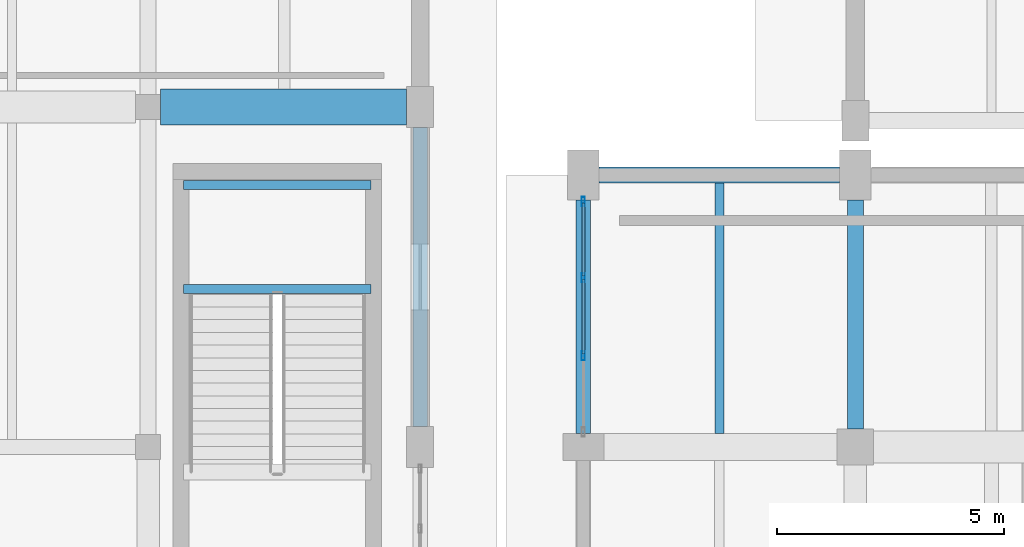
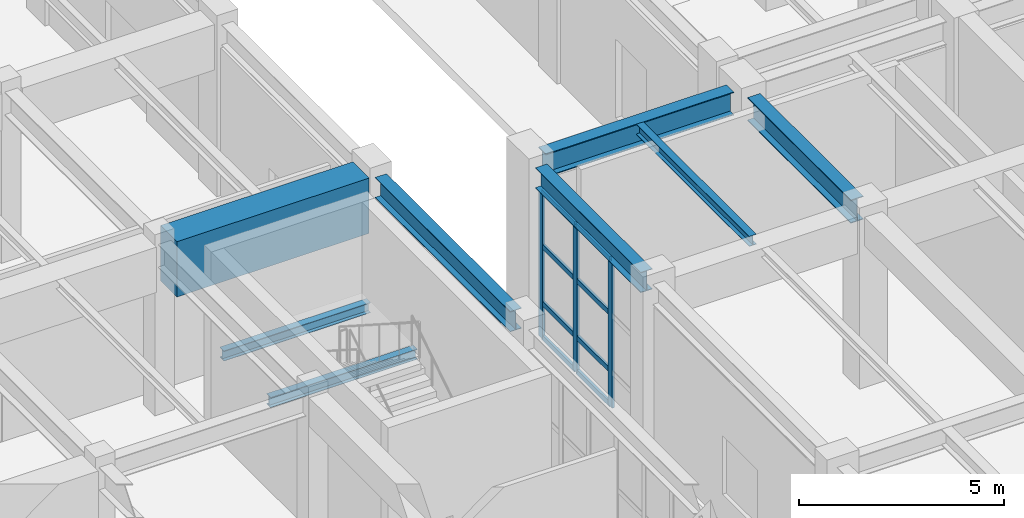
# One storey, part 36 of 91: 11 members, 8 beams, 1 element without a shape of its own.
"""IFC4 building model written with IfcOpenShell, lengths in metres."""

import ifcopenshell
import ifcopenshell.guid

model = None  # the IFC model being written
_history = None  # IfcOwnerHistory: only IFC2X3 demands one
_inside = {}  # id of a spatial element -> (the spatial element, [elements in it])
_under = {}  # id of a project, library or spatial element -> (it, [spatial elements below it])
_declared = {}  # id of a project -> (the project, [libraries it declares])
_typed = {}  # id of a type object -> (the type object, [elements of that type])
_made_of = {}  # id of a material, layer set ... -> (it, [elements and type objects made of it])


def new_model(schema):
    """Start an empty IFC model of exactly this schema.

    Asked for "IFC4X3", IfcOpenShell would pick the latest addendum, in which some entities
    have other attributes; the version numbers below select the first issue.
    IFC2X3 requires an IfcOwnerHistory on every rooted entity: one is made here for all.
    """
    global model, _history
    if schema == "IFC4X3":
        model = ifcopenshell.file(schema_version=(4, 3, 0, 0))
    else:
        model = ifcopenshell.file(schema=schema)
    _inside.clear()
    _under.clear()
    _declared.clear()
    _typed.clear()
    _made_of.clear()
    _history = None
    if model.schema == "IFC2X3":
        org = make("IfcOrganization", Name="unknown")
        user = make(
            "IfcPersonAndOrganization",
            ThePerson=make("IfcPerson", FamilyName="unknown"),
            TheOrganization=org,
        )
        app = make(
            "IfcApplication",
            ApplicationDeveloper=org,
            Version="unknown",
            ApplicationFullName="unknown",
            ApplicationIdentifier="unknown",
        )
        _history = make(
            "IfcOwnerHistory",
            OwningUser=user,
            OwningApplication=app,
            ChangeAction="ADDED",
            CreationDate=0,
        )
    return model


def make(cls, **values):
    """One entity of the class cls with the attributes given. An attribute that is None is left unset."""
    return model.create_entity(
        cls, **{name: value for name, value in values.items() if value is not None}
    )


def rooted(cls, **values):
    """An entity with a GlobalId (a new one), such as an element, a storey or a relation."""
    return make(cls, GlobalId=ifcopenshell.guid.new(), OwnerHistory=_history, **values)


def si_unit(unit_type, name, prefix=None):
    """IfcSIUnit, for example si_unit("LENGTHUNIT", "METRE", prefix="MILLI")."""
    return make("IfcSIUnit", UnitType=unit_type, Prefix=prefix, Name=name)


def assignment(units):
    """IfcUnitAssignment: the units of a project."""
    return None if units is None else make("IfcUnitAssignment", Units=units)


def point(xyz):
    """IfcCartesianPoint."""
    return None if xyz is None else make("IfcCartesianPoint", Coordinates=xyz)


def direction(xyz):
    """IfcDirection."""
    return None if xyz is None else make("IfcDirection", DirectionRatios=xyz)


def frame(location, z_axis=None, x_axis=None):
    """IfcAxis2Placement3D, a coordinate frame: its origin and axes. An axis left out is left unset."""
    return make(
        "IfcAxis2Placement3D",
        Location=point(location),
        Axis=direction(z_axis),
        RefDirection=direction(x_axis),
    )


def frame_2d(location, x_axis=None):
    """IfcAxis2Placement2D, a coordinate frame in the plane: its origin and x axis."""
    return make(
        "IfcAxis2Placement2D", Location=point(location), RefDirection=direction(x_axis)
    )


def origin():
    """The frame at (0, 0, 0) with its axes left unset."""
    return frame((0.0, 0.0, 0.0))


def origin_2d():
    """The frame at (0, 0) in the plane with its x axis left unset."""
    return frame_2d((0.0, 0.0))


def place(relative_to, where):
    """IfcLocalPlacement: puts the frame where relative to a parent placement (None: the world)."""
    return make(
        "IfcLocalPlacement", PlacementRelTo=relative_to, RelativePlacement=where
    )


def context(
    kind, dimensions, precision=None, world=None, true_north=None, identifier=None
):
    """IfcGeometricRepresentationContext, for example the 3D "Model" context."""
    return make(
        "IfcGeometricRepresentationContext",
        ContextIdentifier=identifier,
        ContextType=kind,
        CoordinateSpaceDimension=dimensions,
        Precision=precision,
        WorldCoordinateSystem=world,
        TrueNorth=true_north,
    )


def subcontext(parent, identifier, kind, view, scale=None):
    """IfcGeometricRepresentationSubContext, for example "Body" below "Model"."""
    return make(
        "IfcGeometricRepresentationSubContext",
        ContextIdentifier=identifier,
        ContextType=kind,
        ParentContext=parent,
        TargetScale=scale,
        TargetView=view,
    )


def project(units=None, contexts=None):
    """IfcProject with its units and contexts."""
    return rooted(
        "IfcProject",
        Name="project",
        RepresentationContexts=contexts,
        UnitsInContext=assignment(units),
    )


def spatial(cls, under=None, at=None, **own):
    """A site, building, storey or space (cls), placed at a placement, below another one or the project."""
    s = rooted(cls, ObjectPlacement=at, **own)
    if under is not None:
        _under.setdefault(under.id(), (under, []))[1].append(s)
    return s


def profile(cls, at=None, kind="AREA", **sizes):
    """A parametric profile (cls). Its sizes go by their IFC names, for example OverallWidth=200.0."""
    return make(cls, ProfileType=kind, Position=at, **sizes)


def rectangle(**sizes):
    """IfcRectangleProfileDef."""
    return profile("IfcRectangleProfileDef", **sizes)


def hollow_rectangle(**sizes):
    """IfcRectangleHollowProfileDef."""
    return profile("IfcRectangleHollowProfileDef", **sizes)


def i_section(**sizes):
    """IfcIShapeProfileDef."""
    return profile("IfcIShapeProfileDef", **sizes)


def extrude(swept, where, along, depth):
    """IfcExtrudedAreaSolid: the profile swept, set in the frame where, extruded along a direction by depth."""
    return make(
        "IfcExtrudedAreaSolid",
        SweptArea=swept,
        Position=where,
        ExtrudedDirection=direction(along),
        Depth=depth,
    )


def shape(context_of_items, identifier, shape_type, items):
    """IfcShapeRepresentation: the items that make up one representation, for example the "Body"."""
    return make(
        "IfcShapeRepresentation",
        ContextOfItems=context_of_items,
        RepresentationIdentifier=identifier,
        RepresentationType=shape_type,
        Items=items,
    )


def material(Name=None, Category=None):
    """IfcMaterial."""
    return make("IfcMaterial", Name=Name, Category=Category)


def layer(
    of_material, thickness, ventilated=None, Name=None, Category=None, Priority=None
):
    """IfcMaterialLayer: one layer of a wall or slab, of a material (None: an air gap)."""
    return make(
        "IfcMaterialLayer",
        Material=of_material,
        LayerThickness=thickness,
        IsVentilated=ventilated,
        Name=Name,
        Category=Category,
        Priority=Priority,
    )


def layer_set(layers, Name=None):
    """IfcMaterialLayerSet."""
    return make("IfcMaterialLayerSet", MaterialLayers=layers, LayerSetName=Name)


def material_profile(
    of_material, cross_section, Name=None, Category=None, Priority=None
):
    """IfcMaterialProfile: a cross section and its material."""
    return make(
        "IfcMaterialProfile",
        Name=Name,
        Material=of_material,
        Profile=cross_section,
        Priority=Priority,
        Category=Category,
    )


def profile_set(profiles, Name=None, composite=None):
    """IfcMaterialProfileSet."""
    return make(
        "IfcMaterialProfileSet",
        Name=Name,
        MaterialProfiles=profiles,
        CompositeProfile=composite,
    )


def made_of(thing, what):
    """Note that an element or type object is made of a material, layer set ...; save() writes the relation."""
    if what is not None:
        _made_of.setdefault(what.id(), (what, []))[1].append(thing)
    return thing


def type_object(cls, material=None, **own):
    """A type object (cls), such as IfcWallType, which elements share."""
    return made_of(rooted(cls, **own), material)


def element(
    cls,
    number,
    at=None,
    inside=None,
    cuts=None,
    type_object=None,
    material=None,
    context=None,
    identifier="Body",
    shape_type=None,
    held_by="IfcProductDefinitionShape",
    body=None,
    shapes=None,
    **own,
):
    """One element of the class cls, such as IfcWall. Its Tag is "e" and its number.

    at: its placement. inside: the storey or other place that contains it. cuts: it is an
    opening in that element (IfcRelVoidsElement). A single representation is given by context,
    identifier, shape_type and body (its items); several are given by shapes. held_by: the class
    of the entity that holds the representations. save() writes the other relations.
    """
    e = rooted(cls, Tag="e%d" % number, ObjectPlacement=at, **own)
    if body is not None:
        shapes = [shape(context, identifier, shape_type, body)]
    if shapes is not None:
        e.Representation = make(held_by, Representations=shapes)
    if inside is not None:
        _inside.setdefault(inside.id(), (inside, []))[1].append(e)
    if cuts is not None:
        rooted(
            "IfcRelVoidsElement", RelatingBuildingElement=cuts, RelatedOpeningElement=e
        )
    if type_object is not None:
        _typed.setdefault(type_object.id(), (type_object, []))[1].append(e)
    return made_of(e, material)


def aggregate(whole, parts):
    """IfcRelAggregates: a whole, such as a stair, and the parts it consists of."""
    return rooted("IfcRelAggregates", RelatingObject=whole, RelatedObjects=parts)


def save(model, path):
    """Write the relations noted so far, then the file.

    IfcRelAggregates (storeys below a building ...), IfcRelContainedInSpatialStructure (elements
    in a storey), IfcRelDefinesByType, IfcRelAssociatesMaterial and IfcRelDeclares: one each for
    every whole, place, type object, material and project.
    """
    for whole, parts in _under.values():
        aggregate(whole, parts)
    for where, things in _inside.values():
        rooted(
            "IfcRelContainedInSpatialStructure",
            RelatedElements=things,
            RelatingStructure=where,
        )
    for kind, things in _typed.values():
        rooted("IfcRelDefinesByType", RelatedObjects=things, RelatingType=kind)
    for what, things in _made_of.values():
        rooted("IfcRelAssociatesMaterial", RelatedObjects=things, RelatingMaterial=what)
    for by, libraries in _declared.values():
        rooted("IfcRelDeclares", RelatingContext=by, RelatedDefinitions=libraries)
    model.write(path)


model = new_model("IFC4")

# Units and contexts
model_context = context("Model", 3, precision=1e-05, world=origin(), true_north=direction((0.0, 1.0)))
body_context = subcontext(model_context, "Body", "Model", "MODEL_VIEW")
ifc_project = project(units=[si_unit("LENGTHUNIT", "METRE"), si_unit("AREAUNIT", "SQUARE_METRE"), si_unit("VOLUMEUNIT", "CUBIC_METRE"), si_unit("PLANEANGLEUNIT", "RADIAN"), si_unit("MASSUNIT", "GRAM", prefix="KILO")], contexts=[model_context])

# Site, building, storey
site_placement = place(None, origin())
site = spatial("IfcSite", under=ifc_project, at=site_placement, CompositionType="ELEMENT")
building_placement = place(site_placement, origin())
building = spatial("IfcBuilding", under=site, at=building_placement, Name="Vaelkrest Opera House", CompositionType="ELEMENT")
storey_placement = place(building_placement, origin())
storey = spatial("IfcBuildingStorey", under=building, at=storey_placement, Name="L00", CompositionType="ELEMENT", Elevation=0.0)

# Beams
ifc_material_1 = material(Name="Concrete C50/60", Category="concrete")
ifc_material_profile_1 = material_profile(ifc_material_1, rectangle(XDim=0.800048828125, YDim=1.64990234375, at=origin_2d()), Name="RCB800X1650")
ifc_profile_set_1 = profile_set([ifc_material_profile_1], Name="Concrete C50/60")
beam_type_1 = type_object("IfcBeamType", Name="B07", PredefinedType="BEAM", material=ifc_profile_set_1)
beam_1_placement = place(storey_placement, frame((-39.324951171875, 17.699951171875, 4.2548828125), z_axis=(1.0, 0.0, 0.0), x_axis=(0.0, 1.0, 0.0)))
element("IfcBeam", 1, at=beam_1_placement, inside=storey, type_object=beam_type_1, Name="Beam BM-V3-L00-1408", PredefinedType="BEAM", context=body_context, shape_type="SweptSolid", body=[
    extrude(rectangle(XDim=0.800048828125, YDim=1.64990234375, at=origin_2d()), origin(), (0.0, 0.0, 1.0), 5.425048828125),
])
ifc_material_2 = material(Name="Steel A992 Gr50", Category="steel")
ifc_material_profile_2 = material_profile(ifc_material_2, i_section(OverallWidth=0.35498046875, OverallDepth=0.695068359375, WebThickness=0.015380859375, FlangeThickness=0.02490234375, at=origin_2d()), Name="W27X146")
ifc_profile_set_2 = profile_set([ifc_material_profile_2], Name="Steel A992 Gr50")
beam_type_2 = type_object("IfcBeamType", Name="B10", PredefinedType="BEAM", material=ifc_profile_set_2)
beam_2_placement = place(storey_placement, frame((-24.0, 10.60009765625, 4.732421875), z_axis=(0.0, 1.0, 0.0), x_axis=(-1.0, 0.0, 0.0)))
element("IfcBeam", 2, at=beam_2_placement, inside=storey, type_object=beam_type_2, Name="Beam BM-V1-L00-0153", PredefinedType="BEAM", context=body_context, shape_type="SweptSolid", body=[
    extrude(i_section(OverallWidth=0.35498046875, OverallDepth=0.695068359375, WebThickness=0.015380859375, FlangeThickness=0.02490234375, at=origin_2d()), origin(), (0.0, 0.0, 1.0), 5.0498046875),
])

# Curtain wall, members
ifc_material_3 = material(Name="Dark bronze anodized aluminium", Category="aluminium")
ifc_layer = layer(ifc_material_3, 0.18994140625)
ifc_layer_set = layer_set([ifc_layer], Name="Dark bronze anodized aluminium")
curtain_wall_type = type_object("IfcCurtainWallType", Name="CW02", PredefinedType="NOTDEFINED", material=ifc_layer_set)
curtain_wall_placement = place(storey_placement, origin())
curtain_wall = element("IfcCurtainWall", 3, at=curtain_wall_placement, inside=storey, type_object=curtain_wall_type, Name="Curtain wall CW-L00-016", PredefinedType="NOTDEFINED")
ifc_material_profile_3 = material_profile(ifc_material_3, hollow_rectangle(XDim=0.070068359375, YDim=0.199951171875, WallThickness=0.004150390625, at=origin_2d()), Name="CWM70X200")
ifc_profile_set_3 = profile_set([ifc_material_profile_3], Name="Dark bronze anodized aluminium")
member_type_1 = type_object("IfcMemberType", Name="CWM02", PredefinedType="MULLION", material=ifc_profile_set_3)
member_1_placement = place(storey_placement, frame((-30.0, 12.216064453125, 0.0), z_axis=(0.0, 0.0, 1.0), x_axis=(-1.0, 0.0, 0.0)))
member_1 = element("IfcMember", 4, at=member_1_placement, type_object=member_type_1, Name="CW02 mullion 2", PredefinedType="MULLION", context=body_context, shape_type="SweptSolid", body=[
    extrude(hollow_rectangle(XDim=0.070068359375, YDim=0.199951171875, WallThickness=0.004150390625, at=origin_2d()), origin(), (0.0, 0.0, 1.0), 4.404052734375),
])
member_2_placement = place(storey_placement, frame((-30.0, 13.93408203125, 0.0), z_axis=(0.0, 0.0, 1.0), x_axis=(-1.0, 0.0, 0.0)))
member_2 = element("IfcMember", 5, at=member_2_placement, type_object=member_type_1, Name="CW02 mullion 3", PredefinedType="MULLION", context=body_context, shape_type="SweptSolid", body=[
    extrude(hollow_rectangle(XDim=0.070068359375, YDim=0.199951171875, WallThickness=0.004150390625, at=origin_2d()), origin(), (0.0, 0.0, 1.0), 4.404052734375),
])
member_3_placement = place(storey_placement, frame((-30.0, 15.616943359375, 0.0), z_axis=(0.0, 0.0, 1.0), x_axis=(-1.0, 0.0, 0.0)))
member_3 = element("IfcMember", 6, at=member_3_placement, type_object=member_type_1, Name="CW02 mullion 4", PredefinedType="MULLION", context=body_context, shape_type="SweptSolid", body=[
    extrude(hollow_rectangle(XDim=0.070068359375, YDim=0.199951171875, WallThickness=0.004150390625, at=origin_2d()), origin(), (0.0, 0.0, 1.0), 4.404052734375),
])
ifc_material_profile_4 = material_profile(ifc_material_3, hollow_rectangle(XDim=0.070068359375, YDim=0.14990234375, WallThickness=0.004150390625, at=origin_2d()), Name="CWT70X150")
ifc_profile_set_4 = profile_set([ifc_material_profile_4], Name="Dark bronze anodized aluminium")
member_type_2 = type_object("IfcMemberType", Name="CWT02", PredefinedType="USERDEFINED", material=ifc_profile_set_4)
member_4_placement = place(storey_placement, frame((-30.0, 12.2509765625, 0.034912109375), z_axis=(0.0, 1.0, 0.0), x_axis=(-1.0, 0.0, 0.0)))
member_4 = element("IfcMember", 7, at=member_4_placement, type_object=member_type_2, Name="CW02 transom 2.1", ObjectType="TRANSOM", PredefinedType="USERDEFINED", context=body_context, shape_type="SweptSolid", body=[
    extrude(hollow_rectangle(XDim=0.070068359375, YDim=0.14990234375, WallThickness=0.004150390625, at=origin_2d()), origin(), (0.0, 0.0, 1.0), 1.64794921875),
])
member_5_placement = place(storey_placement, frame((-30.0, 12.2509765625, 1.050048828125), z_axis=(0.0, 1.0, 0.0), x_axis=(-1.0, 0.0, 0.0)))
member_5 = element("IfcMember", 8, at=member_5_placement, type_object=member_type_2, Name="CW02 transom 2.2", ObjectType="TRANSOM", PredefinedType="USERDEFINED", context=body_context, shape_type="SweptSolid", body=[
    extrude(hollow_rectangle(XDim=0.070068359375, YDim=0.14990234375, WallThickness=0.004150390625, at=origin_2d()), origin(), (0.0, 0.0, 1.0), 1.64794921875),
])
member_6_placement = place(storey_placement, frame((-30.0, 12.2509765625, 2.75), z_axis=(0.0, 1.0, 0.0), x_axis=(-1.0, 0.0, 0.0)))
member_6 = element("IfcMember", 9, at=member_6_placement, type_object=member_type_2, Name="CW02 transom 2.3", ObjectType="TRANSOM", PredefinedType="USERDEFINED", context=body_context, shape_type="SweptSolid", body=[
    extrude(hollow_rectangle(XDim=0.070068359375, YDim=0.14990234375, WallThickness=0.004150390625, at=origin_2d()), origin(), (0.0, 0.0, 1.0), 1.64794921875),
])
member_7_placement = place(storey_placement, frame((-30.0, 12.2509765625, 4.368896484375), z_axis=(0.0, 1.0, 0.0), x_axis=(-1.0, 0.0, 0.0)))
member_7 = element("IfcMember", 10, at=member_7_placement, type_object=member_type_2, Name="CW02 transom 2.4", ObjectType="TRANSOM", PredefinedType="USERDEFINED", context=body_context, shape_type="SweptSolid", body=[
    extrude(hollow_rectangle(XDim=0.070068359375, YDim=0.14990234375, WallThickness=0.004150390625, at=origin_2d()), origin(), (0.0, 0.0, 1.0), 1.64794921875),
])
member_8_placement = place(storey_placement, frame((-30.0, 13.968994140625, 0.034912109375), z_axis=(0.0, 1.0, 0.0), x_axis=(-1.0, 0.0, 0.0)))
member_8 = element("IfcMember", 11, at=member_8_placement, type_object=member_type_2, Name="CW02 transom 3.1", ObjectType="TRANSOM", PredefinedType="USERDEFINED", context=body_context, shape_type="SweptSolid", body=[
    extrude(hollow_rectangle(XDim=0.070068359375, YDim=0.14990234375, WallThickness=0.004150390625, at=origin_2d()), origin(), (0.0, 0.0, 1.0), 1.613037109375),
])
member_9_placement = place(storey_placement, frame((-30.0, 13.968994140625, 1.050048828125), z_axis=(0.0, 1.0, 0.0), x_axis=(-1.0, 0.0, 0.0)))
member_9 = element("IfcMember", 12, at=member_9_placement, type_object=member_type_2, Name="CW02 transom 3.2", ObjectType="TRANSOM", PredefinedType="USERDEFINED", context=body_context, shape_type="SweptSolid", body=[
    extrude(hollow_rectangle(XDim=0.070068359375, YDim=0.14990234375, WallThickness=0.004150390625, at=origin_2d()), origin(), (0.0, 0.0, 1.0), 1.613037109375),
])
member_10_placement = place(storey_placement, frame((-30.0, 13.968994140625, 2.75), z_axis=(0.0, 1.0, 0.0), x_axis=(-1.0, 0.0, 0.0)))
member_10 = element("IfcMember", 13, at=member_10_placement, type_object=member_type_2, Name="CW02 transom 3.3", ObjectType="TRANSOM", PredefinedType="USERDEFINED", context=body_context, shape_type="SweptSolid", body=[
    extrude(hollow_rectangle(XDim=0.070068359375, YDim=0.14990234375, WallThickness=0.004150390625, at=origin_2d()), origin(), (0.0, 0.0, 1.0), 1.613037109375),
])
member_11_placement = place(storey_placement, frame((-30.0, 13.968994140625, 4.368896484375), z_axis=(0.0, 1.0, 0.0), x_axis=(-1.0, 0.0, 0.0)))
member_11 = element("IfcMember", 14, at=member_11_placement, type_object=member_type_2, Name="CW02 transom 3.4", ObjectType="TRANSOM", PredefinedType="USERDEFINED", context=body_context, shape_type="SweptSolid", body=[
    extrude(hollow_rectangle(XDim=0.070068359375, YDim=0.14990234375, WallThickness=0.004150390625, at=origin_2d()), origin(), (0.0, 0.0, 1.0), 1.613037109375),
])
aggregate(curtain_wall, [member_1, member_2, member_3, member_4, member_5, member_6, member_7, member_8, member_9, member_10, member_11])

# Beams
ifc_material_profile_5 = material_profile(ifc_material_2, i_section(OverallWidth=0.202880859375, OverallDepth=0.302978515625, WebThickness=0.007568359375, FlangeThickness=0.01318359375, at=origin_2d()), Name="W12X40")
ifc_profile_set_5 = profile_set([ifc_material_profile_5], Name="Steel A992 Gr50")
beam_type_3 = type_object("IfcBeamType", Name="J02", PredefinedType="JOIST", material=ifc_profile_set_5)
beam_3_placement = place(storey_placement, frame((-27.0, 10.5, 4.928466796875), z_axis=(0.0, 1.0, 0.0), x_axis=(-1.0, 0.0, 0.0)))
element("IfcBeam", 15, at=beam_3_placement, inside=storey, type_object=beam_type_3, Name="Floor joist JST-V1-L00-0192", PredefinedType="JOIST", context=body_context, shape_type="SweptSolid", body=[
    extrude(i_section(OverallWidth=0.202880859375, OverallDepth=0.302978515625, WebThickness=0.007568359375, FlangeThickness=0.01318359375, at=origin_2d()), origin(), (0.0, 0.0, 1.0), 5.5224609375),
])
for number, where, z_axis, x_axis, name in (
    (16, (-38.820068359375, 13.68994140625, 2.348388671875), (1.0, 0.0, 0.0), (0.0, 1.0, 0.0), "Stair landing bearer beam ST08 L00-1N"),
    (17, (-38.820068359375, 15.97998046875, 2.348388671875), (1.0, 0.0, 0.0), (0.0, 1.0, 0.0), "Stair landing bearer beam ST08 L00-1F"),
):
    element("IfcBeam", number, at=place(storey_placement, frame(where, z_axis=z_axis, x_axis=x_axis)), inside=storey, type_object=beam_type_3, Name=name, PredefinedType="JOIST", context=body_context, shape_type="SweptSolid", body=[
        extrude(i_section(OverallWidth=0.202880859375, OverallDepth=0.302978515625, WebThickness=0.007568359375, FlangeThickness=0.01318359375, at=origin_2d()), origin(), (0.0, 0.0, 1.0), 4.14013671875),
    ])
ifc_material_profile_6 = material_profile(ifc_material_2, i_section(OverallWidth=0.323974609375, OverallDepth=0.611083984375, WebThickness=0.0126953125, FlangeThickness=0.01904296875, at=origin_2d()), Name="W24X104")
ifc_profile_set_6 = profile_set([ifc_material_profile_6], Name="Steel A992 Gr50")
beam_type_4 = type_object("IfcBeamType", Name="SP01", PredefinedType="SPANDREL", material=ifc_profile_set_6)
beam_4_placement = place(storey_placement, frame((-30.0, 10.5, 4.7744140625), z_axis=(0.0, 1.0, 0.0), x_axis=(-1.0, 0.0, 0.0)))
element("IfcBeam", 18, at=beam_4_placement, inside=storey, type_object=beam_type_4, Name="Beam BM-V1-L00-0148", PredefinedType="SPANDREL", context=body_context, shape_type="SweptSolid", body=[
    extrude(i_section(OverallWidth=0.323974609375, OverallDepth=0.611083984375, WebThickness=0.0126953125, FlangeThickness=0.01904296875, at=origin_2d()), origin(), (0.0, 0.0, 1.0), 5.14990234375),
])
beam_5_placement = place(storey_placement, frame((-33.60009765625, 10.64990234375, 4.7744140625), z_axis=(0.0, 1.0, 0.0), x_axis=(-1.0, 0.0, 0.0)))
element("IfcBeam", 19, at=beam_5_placement, inside=storey, type_object=beam_type_4, Name="Beam BM-V3-L00-1476", PredefinedType="SPANDREL", context=body_context, shape_type="SweptSolid", body=[
    extrude(i_section(OverallWidth=0.323974609375, OverallDepth=0.611083984375, WebThickness=0.0126953125, FlangeThickness=0.01904296875, at=origin_2d()), origin(), (0.0, 0.0, 1.0), 6.60009765625),
])
ifc_material_profile_7 = material_profile(ifc_material_2, i_section(OverallWidth=0.35498046875, OverallDepth=0.695068359375, WebThickness=0.015380859375, FlangeThickness=0.02490234375, at=origin_2d()), Name="W27X146")
ifc_profile_set_7 = profile_set([ifc_material_profile_7], Name="Steel A992 Gr50")
beam_type_5 = type_object("IfcBeamType", Name="SP02", PredefinedType="SPANDREL", material=ifc_profile_set_7)
beam_6_placement = place(storey_placement, frame((-29.64990234375, 16.199951171875, 4.732421875), z_axis=(1.0, 0.0, 0.0), x_axis=(0.0, 1.0, 0.0)))
element("IfcBeam", 20, at=beam_6_placement, inside=storey, type_object=beam_type_5, Name="Beam BM-V1-L00-0131", PredefinedType="SPANDREL", context=body_context, shape_type="SweptSolid", body=[
    extrude(i_section(OverallWidth=0.35498046875, OverallDepth=0.695068359375, WebThickness=0.015380859375, FlangeThickness=0.02490234375, at=origin_2d()), origin(), (0.0, 0.0, 1.0), 5.2998046875),
])

save(model, "model.ifc")
